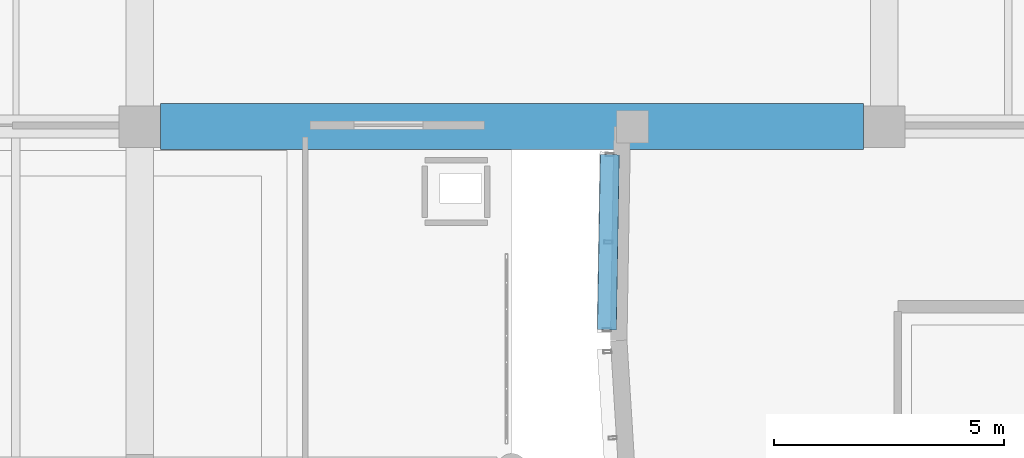
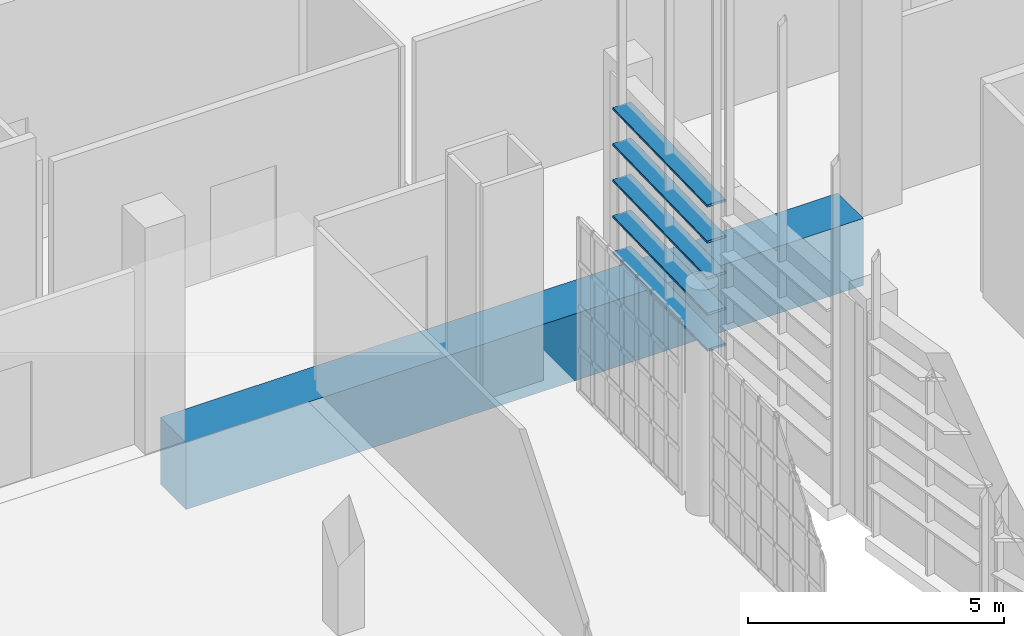
# One storey, part 196 of 372: 5 members, 1 beam.
"""IFC4 building model written with IfcOpenShell, lengths in metres."""

from ifc_helpers import new_model, si_unit, direction, frame, origin, origin_2d, place, context, subcontext, project, spatial, rectangle, hollow_rectangle, extrude, material, material_profile, profile_set, type_object, element, save


model = new_model("IFC4")

# Units and contexts
model_context = context("Model", 3, precision=1e-05, world=origin(), true_north=direction((0.0, 1.0)))
body_context = subcontext(model_context, "Body", "Model", "MODEL_VIEW")
ifc_project = project(units=[si_unit("LENGTHUNIT", "METRE"), si_unit("AREAUNIT", "SQUARE_METRE"), si_unit("VOLUMEUNIT", "CUBIC_METRE"), si_unit("PLANEANGLEUNIT", "RADIAN"), si_unit("MASSUNIT", "GRAM", prefix="KILO")], contexts=[model_context])

# Site, building, storey
site_placement = place(None, origin())
site = spatial("IfcSite", under=ifc_project, at=site_placement, CompositionType="ELEMENT")
building_placement = place(site_placement, origin())
building = spatial("IfcBuilding", under=site, at=building_placement, Name="Kaelora Sail Theatre", CompositionType="ELEMENT")
storey_placement = place(building_placement, origin())
storey = spatial("IfcBuildingStorey", under=building, at=storey_placement, Name="L00", CompositionType="ELEMENT", Elevation=0.0)

# Members
ifc_material_1 = material(Name="Anodised aluminium 6063-T6", Category="aluminium")
ifc_material_profile_1 = material_profile(ifc_material_1, hollow_rectangle(XDim=0.419921875, YDim=0.054931640625, WallThickness=0.00390625, InnerFilletRadius=0.00390625, OuterFilletRadius=0.008056640625, at=origin_2d()), Name="LOUVRE 420x55x4")
ifc_profile_set_1 = profile_set([ifc_material_profile_1], Name="Anodised aluminium 6063-T6")
member_type = type_object("IfcMemberType", Name="ARC-MEM-LVR-420", PredefinedType="USERDEFINED", material=ifc_profile_set_1)
for number, where, z_axis, x_axis, name in (
    (1, (76.466552734375, 56.6015625, 1.25), (0.016590707442, 0.999862364742, 0.0), (-0.999862364742, 0.016590707442, 0.0), "Studio Theatre Sail Drum horizontal solar louvre C20-01"),
    (2, (76.466552734375, 56.6015625, 2.110107421875), (0.016590707442, 0.999862364742, 0.0), (-0.999862364742, 0.016590707442, 0.0), "Studio Theatre Sail Drum horizontal solar louvre C20-02"),
    (3, (76.466552734375, 56.6015625, 2.969970703125), (0.016590707442, 0.999862364742, 0.0), (-0.999862364742, 0.016590707442, 0.0), "Studio Theatre Sail Drum horizontal solar louvre C20-03"),
    (4, (76.466552734375, 56.6015625, 3.830078125), (0.016590707442, 0.999862364742, 0.0), (-0.999862364742, 0.016590707442, 0.0), "Studio Theatre Sail Drum horizontal solar louvre C20-04"),
    (5, (76.466552734375, 56.6015625, 4.68994140625), (0.016590707442, 0.999862364742, 0.0), (-0.999862364742, 0.016590707442, 0.0), "Studio Theatre Sail Drum horizontal solar louvre C20-05"),
):
    element("IfcMember", number, at=place(storey_placement, frame(where, z_axis=z_axis, x_axis=x_axis)), inside=storey, type_object=member_type, Name=name, ObjectType="LOUVRE", PredefinedType="USERDEFINED", context=body_context, shape_type="SweptSolid", body=[
        extrude(hollow_rectangle(XDim=0.419921875, YDim=0.054931640625, WallThickness=0.00390625, InnerFilletRadius=0.00390625, OuterFilletRadius=0.008056640625, at=origin_2d()), origin(), (0.0, 0.0, 1.0), 3.811279296875),
    ])

# Beam
ifc_material_2 = material(Name="Concrete C50/60", Category="concrete")
ifc_material_profile_2 = material_profile(ifc_material_2, rectangle(XDim=1.0, YDim=1.60009765625, at=origin_2d()), Name="RC-TG 1000x1600")
ifc_profile_set_2 = profile_set([ifc_material_profile_2], Name="Concrete C50/60")
beam_type = type_object("IfcBeamType", Name="STR-BM-MG-1016", PredefinedType="T_BEAM", material=ifc_profile_set_2)
beam_placement = place(storey_placement, frame((66.75, 61.02001953125, -0.800048828125), z_axis=(1.0, 0.0, 0.0), x_axis=(0.0, 1.0, 0.0)))
element("IfcBeam", 6, at=beam_placement, inside=storey, type_object=beam_type, Name="Metro concourse transfer girder MG-I", PredefinedType="T_BEAM", context=body_context, shape_type="SweptSolid", body=[
    extrude(rectangle(XDim=1.0, YDim=1.60009765625, at=origin_2d()), origin(), (0.0, 0.0, 1.0), 15.300048828125),
])

save(model, "model.ifc")
